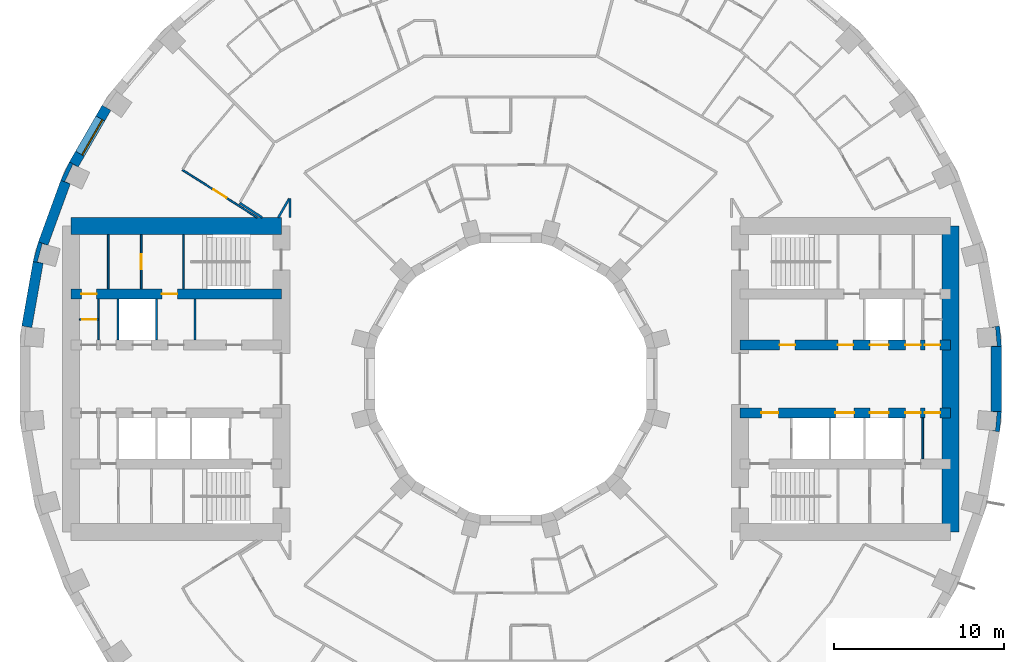
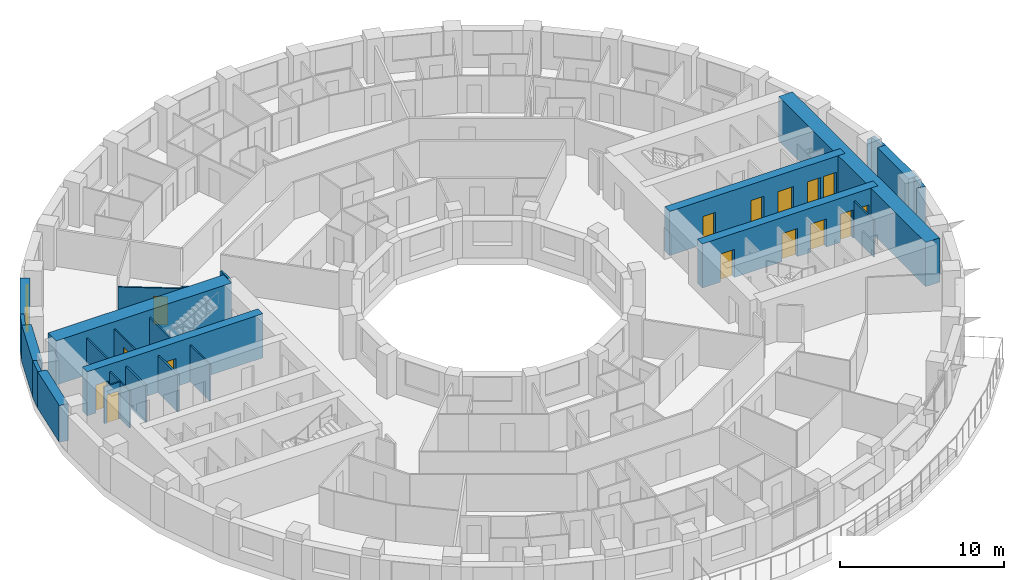
# One storey, part 10 of 16: 26 walls, 15 doors, 1 window, 16 openings.
"""IFC4 building model written with IfcOpenShell, lengths in metres."""

from ifc_helpers import new_model, si_unit, direction, frame, frame_2d, origin, place, context, subcontext, project, spatial, polyline, rectangle, outline, extrude, material, layer, layer_set, type_object, element, fill, save


model = new_model("IFC4")

# Units and contexts
model_context = context("Model", 3, precision=1e-05, world=origin(), true_north=direction((0.0, 1.0)))
body_context = subcontext(model_context, "Body", "Model", "MODEL_VIEW")
ifc_project = project(units=[si_unit("LENGTHUNIT", "METRE"), si_unit("AREAUNIT", "SQUARE_METRE"), si_unit("VOLUMEUNIT", "CUBIC_METRE"), si_unit("PLANEANGLEUNIT", "RADIAN"), si_unit("MASSUNIT", "GRAM", prefix="KILO")], contexts=[model_context])

# Site, building, storey
site_placement = place(None, origin())
site = spatial("IfcSite", under=ifc_project, at=site_placement, CompositionType="ELEMENT")
building_placement = place(site_placement, origin())
building = spatial("IfcBuilding", under=site, at=building_placement, Name="Saqina Gate Tower", CompositionType="ELEMENT")
storey_placement = place(building_placement, frame((0.0, 0.0, 32.89990234375)))
storey = spatial("IfcBuildingStorey", under=building, at=storey_placement, Name="L08", CompositionType="ELEMENT", Elevation=32.89990234375)

# Walls
ifc_material_1 = material(Name="Brick masonry (red)", Category="masonry")
wall_type_1 = type_object("IfcWallType", Name="BRICK PIER COPING RED", PredefinedType="SOLIDWALL", material=ifc_material_1)
wall_1_placement = place(storey_placement, origin())
element("IfcWall", 1, at=wall_1_placement, inside=storey, type_object=wall_type_1, Name="Pier cap L08 column 1", PredefinedType="SOLIDWALL", context=body_context, shape_type="SweptSolid", body=[
    extrude(outline(polyline([(28.8896484375, 1.9228515625), (28.78466796875, 3.122802734375), (28.19384765625, 3.018798828125), (28.54296875, 3.04931640625), (28.638671875, 1.95361328125), (28.28955078125, 1.9228515625), (28.8896484375, 1.9228515625)])), origin(), (0.0, 0.0, 1.0), 2.75),
])
wall_2_placement = place(storey_placement, origin())
element("IfcWall", 2, at=wall_2_placement, inside=storey, type_object=wall_type_1, Name="Pier cap L08 column 16", PredefinedType="SOLIDWALL", context=body_context, shape_type="SweptSolid", body=[
    extrude(outline(polyline([(-26.48974609375, 11.687744140625), (-25.92578125, 11.482666015625), (-26.243408203125, 11.630615234375), (-25.778564453125, 12.627685546875), (-25.4609375, 12.4794921875), (-25.980712890625, 12.779541015625), (-26.48974609375, 11.687744140625)])), origin(), (0.0, 0.0, 1.0), 2.75),
])
wall_3_placement = place(storey_placement, origin())
element("IfcWall", 3, at=wall_3_placement, inside=storey, type_object=wall_type_1, Name="Pier cap L08 column 17", PredefinedType="SOLIDWALL", context=body_context, shape_type="SweptSolid", body=[
    extrude(outline(polyline([(-28.11669921875, 6.910400390625), (-27.52587890625, 6.80615234375), (-27.864501953125, 6.896728515625), (-27.57958984375, 7.95947265625), (-27.2412109375, 7.86865234375), (-27.80517578125, 8.073974609375), (-28.11669921875, 6.910400390625)])), origin(), (0.0, 0.0, 1.0), 2.75),
])
wall_4_placement = place(storey_placement, origin())
element("IfcWall", 4, at=wall_4_placement, inside=storey, type_object=wall_type_1, Name="Pier cap L08 column 36", PredefinedType="SOLIDWALL", context=body_context, shape_type="SweptSolid", body=[
    extrude(outline(polyline([(28.78466796875, -3.122802734375), (28.8896484375, -1.9228515625), (28.28955078125, -1.9228515625), (28.638671875, -1.95361328125), (28.54296875, -3.04931640625), (28.19384765625, -3.018798828125), (28.78466796875, -3.122802734375)])), origin(), (0.0, 0.0, 1.0), 2.75),
])
ifc_material_2 = material(Name="Gypsum board on steel studs", Category="steel")
ifc_layer_1 = layer(ifc_material_2, 0.10009765625)
ifc_layer_set_1 = layer_set([ifc_layer_1], Name="CORE PARTITION")
wall_type_2 = type_object("IfcWallType", Name="CORE PARTITION", PredefinedType="PARTITIONING", material=ifc_layer_set_1)
for number, where, z_axis, x_axis, name in (
    (5, (24.260009765625, -4.699951171875, 0.0), (0.0, 0.0, 1.0), (0.0, 1.0, 0.0), "L08-CP-E09"),
    (6, (-18.582763671875, 2.300048828125, 0.0), (0.0, 0.0, 1.0), (0.0, 1.0, 0.0), "L08-CP-W01"),
    (7, (-24.260009765625, 2.300048828125, 0.0), (0.0, 0.0, 1.0), (0.0, 1.0, 0.0), "L08-CP-W04"),
):
    element("IfcWall", number, at=place(storey_placement, frame(where, z_axis=z_axis, x_axis=x_axis)), inside=storey, type_object=wall_type_2, Name=name, PredefinedType="PARTITIONING", context=body_context, shape_type="SweptSolid", body=[
        extrude(rectangle(XDim=2.39990234375, YDim=0.10009765625, at=frame_2d((1.199951171875, 0.0))), origin(), (0.0, 0.0, 1.0), 2.75),
    ])

# Wall, opening, door
wall_5_placement = place(storey_placement, frame((-24.260009765625, 3.5, 0.0), z_axis=(0.0, 0.0, 1.0), x_axis=(-1.0, 0.0, 0.0)))
wall_5 = element("IfcWall", 8, at=wall_5_placement, inside=storey, type_object=wall_type_2, Name="L08-CP-W10", PredefinedType="PARTITIONING", context=body_context, shape_type="SweptSolid", body=[
    extrude(rectangle(XDim=1.139892578125, YDim=0.10009765625, at=frame_2d((0.56982421875, 0.0))), origin(), (0.0, 0.0, 1.0), 2.75),
])
opening_1_placement = place(wall_5_placement, frame((0.14990234375, 0.0, 0.0)))
opening_1 = element("IfcOpeningElement", 9, at=opening_1_placement, cuts=wall_5, Name="Opening G01-D115", PredefinedType="OPENING", context=body_context, shape_type="SweptSolid", body=[
    extrude(rectangle(XDim=0.800048828125, YDim=2.10009765625, at=frame_2d((0.39990234375, 1.050048828125))), frame((0.0, 0.06201171875, 0.0), z_axis=(0.0, -1.0, 0.0), x_axis=(1.0, 0.0, 0.0)), (0.0, 0.0, 1.0), 0.1240234375),
])
ifc_material_3 = material(Name="Steel-framed fire door leaf, EI 60", Category="steel")
door_type_1 = type_object("IfcDoorType", Name="SERVICE ROOM DOOR 800", OperationType="SINGLE_SWING_LEFT", PredefinedType="DOOR", material=ifc_material_3)
door_1_placement = place(opening_1_placement, frame((0.800048828125, 0.0, 0.0), z_axis=(0.0, 0.0, 1.0), x_axis=(-1.0, 0.0, 0.0)))
door_1 = element("IfcDoor", 10, at=door_1_placement, inside=storey, type_object=door_type_1, Name="L08-CD-W26", OperationType="SINGLE_SWING_LEFT", OverallHeight=2.10009765625, OverallWidth=0.800048828125, PredefinedType="DOOR", context=body_context, shape_type="SweptSolid", body=[
    extrude(rectangle(XDim=0.800048828125, YDim=2.10009765625, at=frame_2d((0.39990234375, 1.050048828125))), frame((0.0, 0.02490234375, 0.0), z_axis=(0.0, -1.0, 0.0), x_axis=(1.0, 0.0, 0.0)), (0.0, 0.0, 1.0), 0.050048828125),
])
fill(opening_1, door_1)

wall_6_placement = place(storey_placement, frame((-21.751953125, 5.300048828125, 0.0), z_axis=(0.0, 0.0, 1.0), x_axis=(0.0, 1.0, 0.0)))
wall_6 = element("IfcWall", 11, at=wall_6_placement, inside=storey, type_object=wall_type_2, Name="L08-CP-W12", PredefinedType="PARTITIONING", context=body_context, shape_type="SweptSolid", body=[
    extrude(rectangle(XDim=3.199951171875, YDim=0.10009765625, at=frame_2d((1.60009765625, 0.0))), origin(), (0.0, 0.0, 1.0), 2.75),
])
opening_2_placement = place(wall_6_placement, frame((1.14990234375, 0.0, 0.0)))
opening_2 = element("IfcOpeningElement", 12, at=opening_2_placement, cuts=wall_6, Name="Opening G01-D131", PredefinedType="OPENING", context=body_context, shape_type="SweptSolid", body=[
    extrude(rectangle(XDim=0.89990234375, YDim=2.10009765625, at=frame_2d((0.449951171875, 1.050048828125))), frame((0.0, 0.06201171875, 0.0), z_axis=(0.0, -1.0, 0.0), x_axis=(1.0, 0.0, 0.0)), (0.0, 0.0, 1.0), 0.1240234375),
])
ifc_material_4 = material(Name="Steel-framed fire door leaf, EI 60", Category="steel")
door_type_2 = type_object("IfcDoorType", Name="SERVICE ROOM DOOR 900", OperationType="SINGLE_SWING_LEFT", PredefinedType="DOOR", material=ifc_material_4)
door_2_placement = place(opening_2_placement, frame((0.89990234375, 0.0, 0.0), z_axis=(0.0, 0.0, 1.0), x_axis=(-1.0, 0.0, 0.0)))
door_2 = element("IfcDoor", 13, at=door_2_placement, inside=storey, type_object=door_type_2, Name="L08-CD-W27", OperationType="SINGLE_SWING_RIGHT", OverallHeight=2.10009765625, OverallWidth=0.89990234375, PredefinedType="DOOR", context=body_context, shape_type="SweptSolid", body=[
    extrude(rectangle(XDim=0.89990234375, YDim=2.10009765625, at=frame_2d((0.449951171875, 1.050048828125))), frame((0.0, 0.02490234375, 0.0), z_axis=(0.0, -1.0, 0.0), x_axis=(1.0, 0.0, 0.0)), (0.0, 0.0, 1.0), 0.050048828125),
])
fill(opening_2, door_2)

# Wall
wall_7_placement = place(storey_placement, frame((-23.697509765625, 5.300048828125, 0.0), z_axis=(0.0, 0.0, 1.0), x_axis=(0.0, 1.0, 0.0)))
element("IfcWall", 14, at=wall_7_placement, inside=storey, type_object=wall_type_2, Name="L08-CP-W13", PredefinedType="PARTITIONING", context=body_context, shape_type="SweptSolid", body=[
    extrude(rectangle(XDim=3.199951171875, YDim=0.10009765625, at=frame_2d((1.60009765625, 0.0))), origin(), (0.0, 0.0, 1.0), 2.75),
])

# Wall, opening, window
ifc_material_5 = material(Name="Brick masonry (red)", Category="masonry")
ifc_layer_2 = layer(ifc_material_5, 0.60009765625)
ifc_layer_set_2 = layer_set([ifc_layer_2], Name="FW-BRICK-RED")
wall_type_3 = type_object("IfcWallType", Name="FW-BRICK-RED", PredefinedType="SOLIDWALL", material=ifc_layer_set_2)
wall_8_placement = place(storey_placement, frame((-23.7978515625, 15.960205078125, 0.0), z_axis=(0.0, 0.0, 1.0), x_axis=(-0.499989888488, -0.86603124159, 0.0)))
wall_8 = element("IfcWall", 15, at=wall_8_placement, inside=storey, type_object=wall_type_3, Name="Facade wall L08 facet 15", PredefinedType="SOLIDWALL", context=body_context, shape_type="SweptSolid", body=[
    extrude(rectangle(XDim=3.845703125, YDim=0.60009765625, at=frame_2d((1.9228515625, 0.0))), origin(), (0.0, 0.0, 1.0), 2.75),
])
opening_3_placement = place(wall_8_placement, frame((0.722900390625, 0.0, 0.89990234375)))
opening_3 = element("IfcOpeningElement", 16, at=opening_3_placement, cuts=wall_8, Name="Opening G01-W13", PredefinedType="OPENING", context=body_context, shape_type="SweptSolid", body=[
    extrude(rectangle(XDim=2.39990234375, YDim=1.800048828125, at=frame_2d((1.199951171875, 0.89990234375))), frame((0.0, 0.31201171875, 0.0), z_axis=(0.0, -1.0, 0.0), x_axis=(1.0, 0.0, 0.0)), (0.0, 0.0, 1.0), 0.6240234375),
])
ifc_material_6 = material(Name="Aluminium glazing", Category="aluminium")
window_type = type_object("IfcWindowType", Name="WN-A", PartitioningType="SINGLE_PANEL", PredefinedType="WINDOW", material=ifc_material_6)
window_placement = place(opening_3_placement, origin())
window = element("IfcWindow", 17, at=window_placement, inside=storey, type_object=window_type, Name="Window L08 facet 15", OverallHeight=1.800048828125, OverallWidth=2.39990234375, PartitioningType="SINGLE_PANEL", PredefinedType="WINDOW", context=body_context, shape_type="SweptSolid", body=[
    extrude(rectangle(XDim=2.39990234375, YDim=1.800048828125, at=frame_2d((1.199951171875, 0.89990234375))), frame((0.0, 0.179931640625, 0.0), z_axis=(0.0, -1.0, 0.0), x_axis=(1.0, 0.0, 0.0)), (0.0, 0.0, 1.0), 0.06005859375),
])
fill(opening_3, window)

# Walls
ifc_material_7 = material(Name="Glazed ceramic tile", Category="ceramic")
ifc_layer_3 = layer(ifc_material_7, 0.60009765625)
ifc_layer_set_3 = layer_set([ifc_layer_3], Name="FW-TILE")
wall_type_4 = type_object("IfcWallType", Name="FW-TILE", PredefinedType="SOLIDWALL", material=ifc_layer_set_3)
wall_9_placement = place(storey_placement, frame((-27.8212890625, 6.858154296875, 0.0), z_axis=(0.0, 0.0, 1.0), x_axis=(-0.173687553279, -0.984800809218, 0.0)))
element("IfcWall", 18, at=wall_9_placement, inside=storey, type_object=wall_type_4, Name="Facade wall L08 facet 17", PredefinedType="SOLIDWALL", context=body_context, shape_type="SweptSolid", body=[
    extrude(rectangle(XDim=3.845703125, YDim=0.60009765625, at=frame_2d((1.9228515625, 0.0))), origin(), (0.0, 0.0, 1.0), 2.75),
])
ifc_material_8 = material(Name="Glazed ceramic tile (white)", Category="ceramic")
ifc_layer_4 = layer(ifc_material_8, 0.60009765625)
ifc_layer_set_4 = layer_set([ifc_layer_4], Name="FW-TILE-WH")
wall_type_5 = type_object("IfcWallType", Name="FW-TILE-WH", PredefinedType="SOLIDWALL", material=ifc_layer_set_4)
wall_10_placement = place(storey_placement, frame((-26.207763671875, 11.585205078125, 0.0), z_axis=(0.0, 0.0, 1.0), x_axis=(-0.342028474173, -0.939689588564, 0.0)))
element("IfcWall", 19, at=wall_10_placement, inside=storey, type_object=wall_type_5, Name="Facade wall L08 facet 16", PredefinedType="SOLIDWALL", context=body_context, shape_type="SweptSolid", body=[
    extrude(rectangle(XDim=3.845947265625, YDim=0.60009765625, at=frame_2d((1.9228515625, 0.0))), origin(), (0.0, 0.0, 1.0), 2.75),
])
wall_11_placement = place(storey_placement, frame((28.589599609375, -1.9228515625, 0.0), z_axis=(0.0, 0.0, 1.0), x_axis=(0.0, 1.0, 0.0)))
element("IfcWall", 20, at=wall_11_placement, inside=storey, type_object=wall_type_5, Name="Facade wall L08 facet 36", PredefinedType="SOLIDWALL", context=body_context, shape_type="SweptSolid", body=[
    extrude(rectangle(XDim=3.845703125, YDim=0.60009765625, at=frame_2d((1.9228515625, 0.0))), origin(), (0.0, 0.0, 1.0), 2.75),
])

# Wall, opening, door
ifc_material_9 = material(Name="Gypsum board on steel studs, 100 mm", Category="steel")
ifc_layer_5 = layer(ifc_material_9, 0.10009765625)
ifc_layer_set_5 = layer_set([ifc_layer_5], Name="PARTITION 100")
wall_type_6 = type_object("IfcWallType", Name="PARTITION 100", PredefinedType="PARTITIONING", material=ifc_layer_set_5)
wall_12_placement = place(storey_placement, frame((-19.324951171875, 12.306884765625, 0.0), z_axis=(0.0, 0.0, 1.0), x_axis=(0.843449781198, -0.537208029163, 0.0)))
wall_12 = element("IfcWall", 21, at=wall_12_placement, inside=storey, type_object=wall_type_6, Name="PARTITION PW3-36", PredefinedType="PARTITIONING", context=body_context, shape_type="SweptSolid", body=[
    extrude(rectangle(XDim=5.224853515625, YDim=0.10009765625, at=frame_2d((2.6123046875, 0.0))), origin(), (0.0, 0.0, 1.0), 2.75),
])
opening_4_placement = place(wall_12_placement, frame((2.16259765625, 0.0, 0.0)))
opening_4 = element("IfcOpeningElement", 22, at=opening_4_placement, cuts=wall_12, Name="Opening G01-D39", PredefinedType="OPENING", context=body_context, shape_type="SweptSolid", body=[
    extrude(rectangle(XDim=0.89990234375, YDim=2.10009765625, at=frame_2d((0.449951171875, 1.050048828125))), frame((0.0, 0.06201171875, 0.0), z_axis=(0.0, -1.0, 0.0), x_axis=(1.0, 0.0, 0.0)), (0.0, 0.0, 1.0), 0.1240234375),
])
ifc_material_10 = material(Name="Timber door leaf, 900 mm", Category="wood")
door_type_3 = type_object("IfcDoorType", Name="DOOR 900 TIMBER", OperationType="SINGLE_SWING_LEFT", PredefinedType="DOOR", material=ifc_material_10)
door_3_placement = place(opening_4_placement, frame((0.89990234375, 0.0, 0.0), z_axis=(0.0, 0.0, 1.0), x_axis=(-1.0, 0.0, 0.0)))
door_3 = element("IfcDoor", 23, at=door_3_placement, inside=storey, type_object=door_type_3, Name="DOOR G01-D39", OperationType="SINGLE_SWING_RIGHT", OverallHeight=2.10009765625, OverallWidth=0.89990234375, PredefinedType="DOOR", context=body_context, shape_type="SweptSolid", body=[
    extrude(rectangle(XDim=0.89990234375, YDim=2.10009765625, at=frame_2d((0.449951171875, 1.050048828125))), frame((0.0, 0.02490234375, 0.0), z_axis=(0.0, -1.0, 0.0), x_axis=(1.0, 0.0, 0.0)), (0.0, 0.0, 1.0), 0.050048828125),
])
fill(opening_4, door_3)

# Walls
ifc_material_11 = material(Name="Gypsum board on steel studs, 125 mm, fire rated", Category="steel")
ifc_layer_6 = layer(ifc_material_11, 0.125)
ifc_layer_set_6 = layer_set([ifc_layer_6], Name="PARTITION EI 30 125")
wall_type_7 = type_object("IfcWallType", Name="PARTITION EI 30 125", PredefinedType="PARTITIONING", material=ifc_layer_set_6)
wall_13_placement = place(storey_placement, frame((-15.95703125, 10.362060546875, 0.0), z_axis=(0.0, 0.0, 1.0), x_axis=(0.838795721465, -0.544446267002, 0.0)))
element("IfcWall", 24, at=wall_13_placement, inside=storey, type_object=wall_type_7, Name="PARTITION PW1-11", PredefinedType="PARTITIONING", context=body_context, shape_type="SweptSolid", body=[
    extrude(rectangle(XDim=1.583251953125, YDim=0.125, at=frame_2d((0.79150390625, 0.0))), origin(), (0.0, 0.0, 1.0), 2.75),
])
wall_14_placement = place(storey_placement, frame((-13.68310546875, 9.5, 0.0), z_axis=(0.0, 0.0, 1.0), x_axis=(0.500018234033, 0.866014876105, 0.0)))
element("IfcWall", 25, at=wall_14_placement, inside=storey, type_object=wall_type_7, Name="PARTITION PW1-51", PredefinedType="PARTITIONING", context=body_context, shape_type="SweptSolid", body=[
    extrude(rectangle(XDim=1.2861328125, YDim=0.125, at=frame_2d((0.64306640625, 0.0))), origin(), (0.0, 0.0, 1.0), 2.75),
])
wall_15_placement = place(storey_placement, frame((-13.0, 9.5, 0.0), z_axis=(0.0, 0.0, 1.0), x_axis=(0.0, 1.0, 0.0)))
element("IfcWall", 26, at=wall_15_placement, inside=storey, type_object=wall_type_7, Name="PARTITION PW1-56", PredefinedType="PARTITIONING", context=body_context, shape_type="SweptSolid", body=[
    extrude(rectangle(XDim=1.12060546875, YDim=0.125, at=frame_2d((0.560302734375, 0.0))), origin(), (0.0, 0.0, 1.0), 2.75),
])
ifc_material_12 = material(Name="Autoclaved aerated concrete block", Category="concrete")
ifc_layer_7 = layer(ifc_material_12, 0.1201171875)
ifc_layer_set_7 = layer_set([ifc_layer_7], Name="SHAFT PARTITION")
wall_type_8 = type_object("IfcWallType", Name="SHAFT PARTITION", PredefinedType="PARTITIONING", material=ifc_layer_set_7)
for number, where, z_axis, x_axis, name in (
    (27, (-20.840087890625, 2.300048828125, 0.0), (0.0, 0.0, 1.0), (0.0, 1.0, 0.0), "L08-CP-W02"),
    (28, (-23.1201171875, 2.300048828125, 0.0), (0.0, 0.0, 1.0), (0.0, 1.0, 0.0), "L08-CP-W03"),
):
    element("IfcWall", number, at=place(storey_placement, frame(where, z_axis=z_axis, x_axis=x_axis)), inside=storey, type_object=wall_type_8, Name=name, PredefinedType="PARTITIONING", context=body_context, shape_type="SweptSolid", body=[
        extrude(rectangle(XDim=2.39990234375, YDim=0.1201171875, at=frame_2d((1.199951171875, 0.0))), origin(), (0.0, 0.0, 1.0), 2.75),
    ])
ifc_material_13 = material(Name="Autoclaved aerated concrete block", Category="concrete")
ifc_layer_8 = layer(ifc_material_13, 0.10009765625)
ifc_layer_set_8 = layer_set([ifc_layer_8], Name="STAIR ENCLOSURE WALL")
wall_type_9 = type_object("IfcWallType", Name="STAIR ENCLOSURE WALL", PredefinedType="PARTITIONING", material=ifc_layer_set_8)
wall_16_placement = place(storey_placement, frame((-19.27001953125, 5.300048828125, 0.0), z_axis=(0.0, 0.0, 1.0), x_axis=(0.0, 1.0, 0.0)))
element("IfcWall", 29, at=wall_16_placement, inside=storey, type_object=wall_type_9, Name="L08-CP-W11", PredefinedType="PARTITIONING", context=body_context, shape_type="SweptSolid", body=[
    extrude(rectangle(XDim=3.199951171875, YDim=0.10009765625, at=frame_2d((1.60009765625, 0.0))), origin(), (0.0, 0.0, 1.0), 2.75),
])

# Wall, openings, doors
ifc_material_14 = material(Name="Concrete C70/85", Category="concrete")
ifc_layer_9 = layer(ifc_material_14, 0.60009765625)
ifc_layer_set_9 = layer_set([ifc_layer_9], Name="Concrete C70/85")
wall_type_10 = type_object("IfcWallType", Name="STR-CORE WALL-A-I", PredefinedType="SHEAR", material=ifc_layer_set_9)
wall_17_placement = place(storey_placement, frame((13.5, 2.0, 0.0), z_axis=(0.0, 0.0, 1.0), x_axis=(1.0, 0.0, 0.0)))
wall_17 = element("IfcWall", 30, at=wall_17_placement, inside=storey, type_object=wall_type_10, Name="CORE WALL L08 E-L1", PredefinedType="SHEAR", context=body_context, shape_type="SweptSolid", body=[
    extrude(rectangle(XDim=12.39990234375, YDim=0.60009765625, at=frame_2d((6.199951171875, 0.0))), origin(), (0.0, 0.0, 1.0), 3.300048828125),
])
opening_5_placement = place(wall_17_placement, frame((7.64990234375, 0.0, 0.0)))
opening_5 = element("IfcOpeningElement", 31, at=opening_5_placement, cuts=wall_17, Name="Opening G01-LD1", PredefinedType="OPENING", context=body_context, shape_type="SweptSolid", body=[
    extrude(rectangle(XDim=1.10009765625, YDim=2.10009765625, at=frame_2d((0.550048828125, 1.050048828125))), frame((0.0, 0.31201171875, 0.0), z_axis=(0.0, -1.0, 0.0), x_axis=(1.0, 0.0, 0.0)), (0.0, 0.0, 1.0), 0.6240234375),
])
opening_6_placement = place(wall_17_placement, frame((2.34130859375, 0.0, 0.0)))
opening_6 = element("IfcOpeningElement", 32, at=opening_6_placement, cuts=wall_17, Name="Opening G01-D90", PredefinedType="OPENING", context=body_context, shape_type="SweptSolid", body=[
    extrude(rectangle(XDim=0.89990234375, YDim=2.10009765625, at=frame_2d((0.449951171875, 1.050048828125))), frame((0.0, 0.31201171875, 0.0), z_axis=(0.0, -1.0, 0.0), x_axis=(1.0, 0.0, 0.0)), (0.0, 0.0, 1.0), 0.6240234375),
])
opening_7_placement = place(wall_17_placement, frame((5.761474609375, 0.0, 0.0)))
opening_7 = element("IfcOpeningElement", 33, at=opening_7_placement, cuts=wall_17, Name="Opening G01-D91", PredefinedType="OPENING", context=body_context, shape_type="SweptSolid", body=[
    extrude(rectangle(XDim=0.89990234375, YDim=2.10009765625, at=frame_2d((0.449951171875, 1.050048828125))), frame((0.0, 0.31201171875, 0.0), z_axis=(0.0, -1.0, 0.0), x_axis=(1.0, 0.0, 0.0)), (0.0, 0.0, 1.0), 0.6240234375),
])
opening_8_placement = place(wall_17_placement, frame((9.739990234375, 0.0, 0.0)))
opening_8 = element("IfcOpeningElement", 34, at=opening_8_placement, cuts=wall_17, Name="Opening G01-D92", PredefinedType="OPENING", context=body_context, shape_type="SweptSolid", body=[
    extrude(rectangle(XDim=0.89990234375, YDim=2.10009765625, at=frame_2d((0.449951171875, 1.050048828125))), frame((0.0, 0.31201171875, 0.0), z_axis=(0.0, -1.0, 0.0), x_axis=(1.0, 0.0, 0.0)), (0.0, 0.0, 1.0), 0.6240234375),
])
opening_9_placement = place(wall_17_placement, frame((10.8798828125, 0.0, 0.0)))
opening_9 = element("IfcOpeningElement", 35, at=opening_9_placement, cuts=wall_17, Name="Opening G01-D93", PredefinedType="OPENING", context=body_context, shape_type="SweptSolid", body=[
    extrude(rectangle(XDim=0.89990234375, YDim=2.10009765625, at=frame_2d((0.449951171875, 1.050048828125))), frame((0.0, 0.31201171875, 0.0), z_axis=(0.0, -1.0, 0.0), x_axis=(1.0, 0.0, 0.0)), (0.0, 0.0, 1.0), 0.6240234375),
])
ifc_material_15 = material(Name="Stainless steel", Category="steel")
door_type_4 = type_object("IfcDoorType", Name="LANDING DOOR", OperationType="DOUBLE_DOOR_SLIDING", PredefinedType="DOOR", material=ifc_material_15)
door_4_placement = place(opening_5_placement, origin())
door_4 = element("IfcDoor", 36, at=door_4_placement, inside=storey, type_object=door_type_4, Name="LANDING DOOR LR1", OperationType="DOUBLE_DOOR_SLIDING", OverallHeight=2.10009765625, OverallWidth=1.10009765625, PredefinedType="DOOR", context=body_context, shape_type="SweptSolid", body=[
    extrude(rectangle(XDim=1.10009765625, YDim=2.10009765625, at=frame_2d((0.550048828125, 1.050048828125))), frame((0.0, 0.02490234375, 0.0), z_axis=(0.0, -1.0, 0.0), x_axis=(1.0, 0.0, 0.0)), (0.0, 0.0, 1.0), 0.050048828125),
])
fill(opening_5, door_4)
door_5_placement = place(opening_6_placement, origin())
door_5 = element("IfcDoor", 37, at=door_5_placement, inside=storey, type_object=door_type_2, Name="L08-CD-E01", OperationType="SINGLE_SWING_LEFT", OverallHeight=2.10009765625, OverallWidth=0.89990234375, PredefinedType="DOOR", context=body_context, shape_type="SweptSolid", body=[
    extrude(rectangle(XDim=0.89990234375, YDim=2.10009765625, at=frame_2d((0.449951171875, 1.050048828125))), frame((0.0, 0.02490234375, 0.0), z_axis=(0.0, -1.0, 0.0), x_axis=(1.0, 0.0, 0.0)), (0.0, 0.0, 1.0), 0.050048828125),
])
fill(opening_6, door_5)
door_6_placement = place(opening_7_placement, origin())
door_6 = element("IfcDoor", 38, at=door_6_placement, inside=storey, type_object=door_type_2, Name="L08-CD-E02", OperationType="SINGLE_SWING_RIGHT", OverallHeight=2.10009765625, OverallWidth=0.89990234375, PredefinedType="DOOR", context=body_context, shape_type="SweptSolid", body=[
    extrude(rectangle(XDim=0.89990234375, YDim=2.10009765625, at=frame_2d((0.449951171875, 1.050048828125))), frame((0.0, 0.02490234375, 0.0), z_axis=(0.0, -1.0, 0.0), x_axis=(1.0, 0.0, 0.0)), (0.0, 0.0, 1.0), 0.050048828125),
])
fill(opening_7, door_6)
door_7_placement = place(opening_8_placement, origin())
door_7 = element("IfcDoor", 39, at=door_7_placement, inside=storey, type_object=door_type_2, Name="L08-CD-E03", OperationType="SINGLE_SWING_LEFT", OverallHeight=2.10009765625, OverallWidth=0.89990234375, PredefinedType="DOOR", context=body_context, shape_type="SweptSolid", body=[
    extrude(rectangle(XDim=0.89990234375, YDim=2.10009765625, at=frame_2d((0.449951171875, 1.050048828125))), frame((0.0, 0.02490234375, 0.0), z_axis=(0.0, -1.0, 0.0), x_axis=(1.0, 0.0, 0.0)), (0.0, 0.0, 1.0), 0.050048828125),
])
fill(opening_8, door_7)
door_8_placement = place(opening_9_placement, origin())
door_8 = element("IfcDoor", 40, at=door_8_placement, inside=storey, type_object=door_type_2, Name="L08-CD-E04", OperationType="SINGLE_SWING_RIGHT", OverallHeight=2.10009765625, OverallWidth=0.89990234375, PredefinedType="DOOR", context=body_context, shape_type="SweptSolid", body=[
    extrude(rectangle(XDim=0.89990234375, YDim=2.10009765625, at=frame_2d((0.449951171875, 1.050048828125))), frame((0.0, 0.02490234375, 0.0), z_axis=(0.0, -1.0, 0.0), x_axis=(1.0, 0.0, 0.0)), (0.0, 0.0, 1.0), 0.050048828125),
])
fill(opening_9, door_8)

wall_18_placement = place(storey_placement, frame((13.5, -2.0, 0.0), z_axis=(0.0, 0.0, 1.0), x_axis=(1.0, 0.0, 0.0)))
wall_18 = element("IfcWall", 41, at=wall_18_placement, inside=storey, type_object=wall_type_10, Name="CORE WALL L08 E-L2", PredefinedType="SHEAR", context=body_context, shape_type="SweptSolid", body=[
    extrude(rectangle(XDim=12.39990234375, YDim=0.60009765625, at=frame_2d((6.199951171875, 0.0))), origin(), (0.0, 0.0, 1.0), 3.300048828125),
])
opening_10_placement = place(wall_18_placement, frame((5.6201171875, 0.0, 0.0)))
opening_10 = element("IfcOpeningElement", 42, at=opening_10_placement, cuts=wall_18, Name="Opening G01-LD3", PredefinedType="OPENING", context=body_context, shape_type="SweptSolid", body=[
    extrude(rectangle(XDim=1.10009765625, YDim=2.10009765625, at=frame_2d((0.550048828125, 1.050048828125))), frame((0.0, 0.31201171875, 0.0), z_axis=(0.0, -1.0, 0.0), x_axis=(1.0, 0.0, 0.0)), (0.0, 0.0, 1.0), 0.6240234375),
])
opening_11_placement = place(wall_18_placement, frame((7.64990234375, 0.0, 0.0)))
opening_11 = element("IfcOpeningElement", 43, at=opening_11_placement, cuts=wall_18, Name="Opening G01-LD4", PredefinedType="OPENING", context=body_context, shape_type="SweptSolid", body=[
    extrude(rectangle(XDim=1.10009765625, YDim=2.10009765625, at=frame_2d((0.550048828125, 1.050048828125))), frame((0.0, 0.31201171875, 0.0), z_axis=(0.0, -1.0, 0.0), x_axis=(1.0, 0.0, 0.0)), (0.0, 0.0, 1.0), 0.6240234375),
])
opening_12_placement = place(wall_18_placement, frame((1.264892578125, 0.0, 0.0)))
opening_12 = element("IfcOpeningElement", 44, at=opening_12_placement, cuts=wall_18, Name="Opening G01-D94", PredefinedType="OPENING", context=body_context, shape_type="SweptSolid", body=[
    extrude(rectangle(XDim=1.0, YDim=2.10009765625, at=frame_2d((0.5, 1.050048828125))), frame((0.0, 0.31201171875, 0.0), z_axis=(0.0, -1.0, 0.0), x_axis=(1.0, 0.0, 0.0)), (0.0, 0.0, 1.0), 0.6240234375),
])
opening_13_placement = place(wall_18_placement, frame((9.739990234375, 0.0, 0.0)))
opening_13 = element("IfcOpeningElement", 45, at=opening_13_placement, cuts=wall_18, Name="Opening G01-D95", PredefinedType="OPENING", context=body_context, shape_type="SweptSolid", body=[
    extrude(rectangle(XDim=0.89990234375, YDim=2.10009765625, at=frame_2d((0.449951171875, 1.050048828125))), frame((0.0, 0.31201171875, 0.0), z_axis=(0.0, -1.0, 0.0), x_axis=(1.0, 0.0, 0.0)), (0.0, 0.0, 1.0), 0.6240234375),
])
opening_14_placement = place(wall_18_placement, frame((10.8798828125, 0.0, 0.0)))
opening_14 = element("IfcOpeningElement", 46, at=opening_14_placement, cuts=wall_18, Name="Opening G01-D96", PredefinedType="OPENING", context=body_context, shape_type="SweptSolid", body=[
    extrude(rectangle(XDim=0.89990234375, YDim=2.10009765625, at=frame_2d((0.449951171875, 1.050048828125))), frame((0.0, 0.31201171875, 0.0), z_axis=(0.0, -1.0, 0.0), x_axis=(1.0, 0.0, 0.0)), (0.0, 0.0, 1.0), 0.6240234375),
])
ifc_material_16 = material(Name="Steel", Category="steel")
door_type_5 = type_object("IfcDoorType", Name="FIRE LOBBY DOOR EI 60", OperationType="SINGLE_SWING_LEFT", PredefinedType="DOOR", material=ifc_material_16)
door_9_placement = place(opening_12_placement, origin())
door_9 = element("IfcDoor", 47, at=door_9_placement, inside=storey, type_object=door_type_5, Name="L08-CD-E05", OperationType="SINGLE_SWING_LEFT", OverallHeight=2.10009765625, OverallWidth=1.0, PredefinedType="DOOR", context=body_context, shape_type="SweptSolid", body=[
    extrude(rectangle(XDim=1.0, YDim=2.10009765625, at=frame_2d((0.5, 1.050048828125))), frame((0.0, 0.02490234375, 0.0), z_axis=(0.0, -1.0, 0.0), x_axis=(1.0, 0.0, 0.0)), (0.0, 0.0, 1.0), 0.050048828125),
])
fill(opening_12, door_9)
door_10_placement = place(opening_10_placement, origin())
door_10 = element("IfcDoor", 48, at=door_10_placement, inside=storey, type_object=door_type_4, Name="LANDING DOOR LR3", OperationType="DOUBLE_DOOR_SLIDING", OverallHeight=2.10009765625, OverallWidth=1.10009765625, PredefinedType="DOOR", context=body_context, shape_type="SweptSolid", body=[
    extrude(rectangle(XDim=1.10009765625, YDim=2.10009765625, at=frame_2d((0.550048828125, 1.050048828125))), frame((0.0, 0.02490234375, 0.0), z_axis=(0.0, -1.0, 0.0), x_axis=(1.0, 0.0, 0.0)), (0.0, 0.0, 1.0), 0.050048828125),
])
fill(opening_10, door_10)
door_11_placement = place(opening_11_placement, origin())
door_11 = element("IfcDoor", 49, at=door_11_placement, inside=storey, type_object=door_type_4, Name="LANDING DOOR LR2", OperationType="DOUBLE_DOOR_SLIDING", OverallHeight=2.10009765625, OverallWidth=1.10009765625, PredefinedType="DOOR", context=body_context, shape_type="SweptSolid", body=[
    extrude(rectangle(XDim=1.10009765625, YDim=2.10009765625, at=frame_2d((0.550048828125, 1.050048828125))), frame((0.0, 0.02490234375, 0.0), z_axis=(0.0, -1.0, 0.0), x_axis=(1.0, 0.0, 0.0)), (0.0, 0.0, 1.0), 0.050048828125),
])
fill(opening_11, door_11)
door_12_placement = place(opening_13_placement, frame((0.89990234375, 0.0, 0.0), z_axis=(0.0, 0.0, 1.0), x_axis=(-1.0, 0.0, 0.0)))
door_12 = element("IfcDoor", 50, at=door_12_placement, inside=storey, type_object=door_type_2, Name="L08-CD-E06", OperationType="SINGLE_SWING_RIGHT", OverallHeight=2.10009765625, OverallWidth=0.89990234375, PredefinedType="DOOR", context=body_context, shape_type="SweptSolid", body=[
    extrude(rectangle(XDim=0.89990234375, YDim=2.10009765625, at=frame_2d((0.449951171875, 1.050048828125))), frame((0.0, 0.02490234375, 0.0), z_axis=(0.0, -1.0, 0.0), x_axis=(1.0, 0.0, 0.0)), (0.0, 0.0, 1.0), 0.050048828125),
])
fill(opening_13, door_12)
door_13_placement = place(opening_14_placement, frame((0.89990234375, 0.0, 0.0), z_axis=(0.0, 0.0, 1.0), x_axis=(-1.0, 0.0, 0.0)))
door_13 = element("IfcDoor", 51, at=door_13_placement, inside=storey, type_object=door_type_2, Name="L08-CD-E07", OperationType="SINGLE_SWING_LEFT", OverallHeight=2.10009765625, OverallWidth=0.89990234375, PredefinedType="DOOR", context=body_context, shape_type="SweptSolid", body=[
    extrude(rectangle(XDim=0.89990234375, YDim=2.10009765625, at=frame_2d((0.449951171875, 1.050048828125))), frame((0.0, 0.02490234375, 0.0), z_axis=(0.0, -1.0, 0.0), x_axis=(1.0, 0.0, 0.0)), (0.0, 0.0, 1.0), 0.050048828125),
])
fill(opening_14, door_13)

wall_19_placement = place(storey_placement, frame((-13.5, 5.0, 0.0), z_axis=(0.0, 0.0, 1.0), x_axis=(-1.0, 0.0, 0.0)))
wall_19 = element("IfcWall", 52, at=wall_19_placement, inside=storey, type_object=wall_type_10, Name="CORE WALL L08 W-X1", PredefinedType="SHEAR", context=body_context, shape_type="SweptSolid", body=[
    extrude(rectangle(XDim=12.39990234375, YDim=0.60009765625, at=frame_2d((6.199951171875, 0.0))), origin(), (0.0, 0.0, 1.0), 3.300048828125),
])
opening_15_placement = place(wall_19_placement, frame((6.1298828125, 0.0, 0.0)))
opening_15 = element("IfcOpeningElement", 53, at=opening_15_placement, cuts=wall_19, Name="Opening G01-D132", PredefinedType="OPENING", context=body_context, shape_type="SweptSolid", body=[
    extrude(rectangle(XDim=0.89990234375, YDim=2.10009765625, at=frame_2d((0.449951171875, 1.050048828125))), frame((0.0, 0.31201171875, 0.0), z_axis=(0.0, -1.0, 0.0), x_axis=(1.0, 0.0, 0.0)), (0.0, 0.0, 1.0), 0.6240234375),
])
opening_16_placement = place(wall_19_placement, frame((10.8798828125, 0.0, 0.0)))
opening_16 = element("IfcOpeningElement", 54, at=opening_16_placement, cuts=wall_19, Name="Opening G01-D118", PredefinedType="OPENING", context=body_context, shape_type="SweptSolid", body=[
    extrude(rectangle(XDim=0.89990234375, YDim=2.10009765625, at=frame_2d((0.449951171875, 1.050048828125))), frame((0.0, 0.31201171875, 0.0), z_axis=(0.0, -1.0, 0.0), x_axis=(1.0, 0.0, 0.0)), (0.0, 0.0, 1.0), 0.6240234375),
])
door_14_placement = place(opening_15_placement, frame((0.89990234375, 0.0, 0.0), z_axis=(0.0, 0.0, 1.0), x_axis=(-1.0, 0.0, 0.0)))
door_14 = element("IfcDoor", 55, at=door_14_placement, inside=storey, type_object=door_type_2, Name="L08-CD-W28", OperationType="SINGLE_SWING_RIGHT", OverallHeight=2.10009765625, OverallWidth=0.89990234375, PredefinedType="DOOR", context=body_context, shape_type="SweptSolid", body=[
    extrude(rectangle(XDim=0.89990234375, YDim=2.10009765625, at=frame_2d((0.449951171875, 1.050048828125))), frame((0.0, 0.02490234375, 0.0), z_axis=(0.0, -1.0, 0.0), x_axis=(1.0, 0.0, 0.0)), (0.0, 0.0, 1.0), 0.050048828125),
])
fill(opening_15, door_14)
door_15_placement = place(opening_16_placement, frame((0.89990234375, 0.0, 0.0), z_axis=(0.0, 0.0, 1.0), x_axis=(-1.0, 0.0, 0.0)))
door_15 = element("IfcDoor", 56, at=door_15_placement, inside=storey, type_object=door_type_2, Name="L08-CD-W29", OperationType="SINGLE_SWING_LEFT", OverallHeight=2.10009765625, OverallWidth=0.89990234375, PredefinedType="DOOR", context=body_context, shape_type="SweptSolid", body=[
    extrude(rectangle(XDim=0.89990234375, YDim=2.10009765625, at=frame_2d((0.449951171875, 1.050048828125))), frame((0.0, 0.02490234375, 0.0), z_axis=(0.0, -1.0, 0.0), x_axis=(1.0, 0.0, 0.0)), (0.0, 0.0, 1.0), 0.050048828125),
])
fill(opening_16, door_15)

# Walls
ifc_material_17 = material(Name="Concrete C70/85", Category="concrete")
ifc_layer_10 = layer(ifc_material_17, 1.0)
ifc_layer_set_10 = layer_set([ifc_layer_10], Name="Concrete C70/85")
wall_type_11 = type_object("IfcWallType", Name="STR-CORE WALL-A-O", PredefinedType="SHEAR", material=ifc_layer_set_10)
wall_20_placement = place(storey_placement, frame((25.89990234375, -9.0, 0.0), z_axis=(0.0, 0.0, 1.0), x_axis=(0.0, 1.0, 0.0)))
element("IfcWall", 57, at=wall_20_placement, inside=storey, type_object=wall_type_11, Name="CORE WALL L08 E-W2", PredefinedType="SHEAR", context=body_context, shape_type="SweptSolid", body=[
    extrude(rectangle(XDim=18.0, YDim=1.0, at=frame_2d((9.0, 0.0))), origin(), (0.0, 0.0, 1.0), 3.300048828125),
])
wall_21_placement = place(storey_placement, frame((-13.5, 9.0, 0.0), z_axis=(0.0, 0.0, 1.0), x_axis=(-1.0, 0.0, 0.0)))
element("IfcWall", 58, at=wall_21_placement, inside=storey, type_object=wall_type_11, Name="CORE WALL L08 W-NE", PredefinedType="SHEAR", context=body_context, shape_type="SweptSolid", body=[
    extrude(rectangle(XDim=12.39990234375, YDim=1.0, at=frame_2d((6.199951171875, 0.0))), origin(), (0.0, 0.0, 1.0), 3.300048828125),
])

save(model, "model.ifc")
